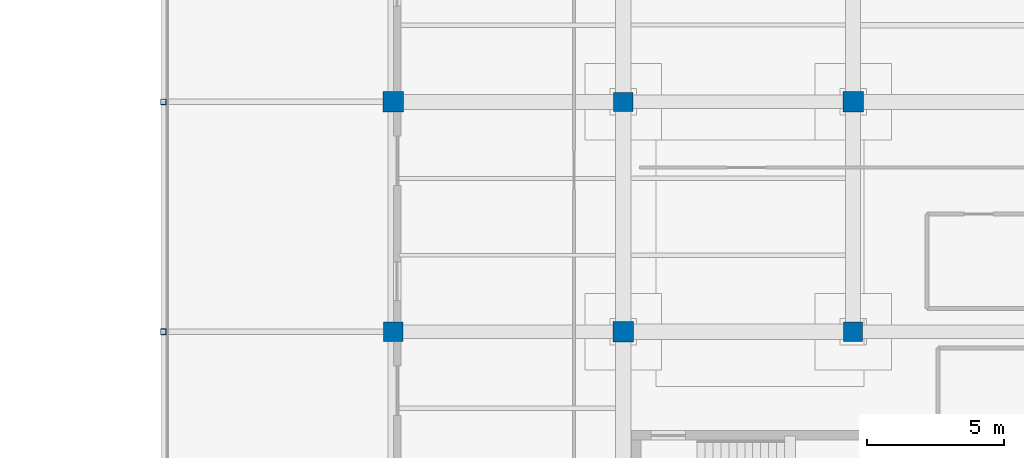
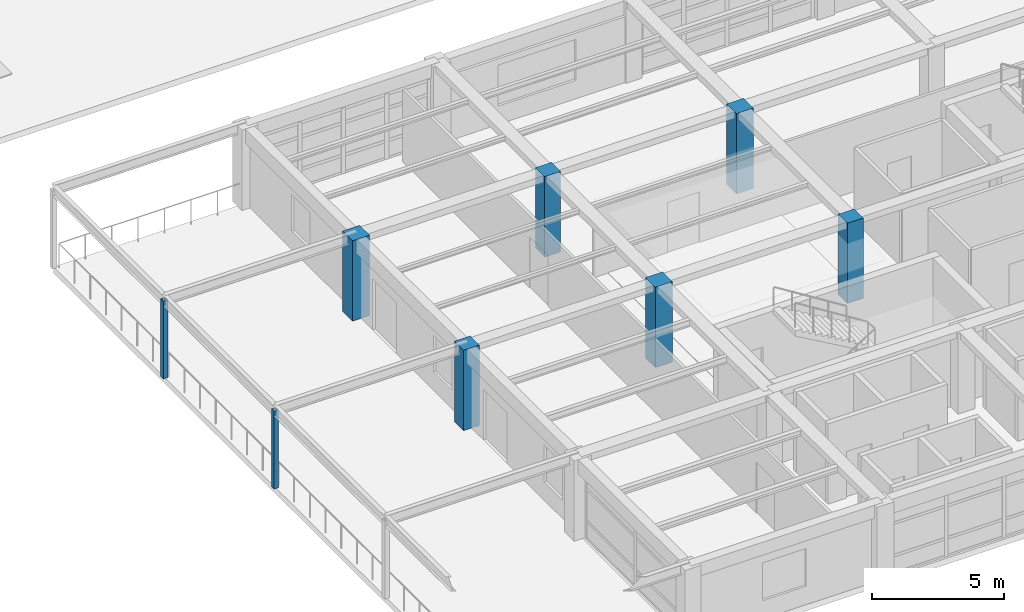
# One storey, part 2 of 35: 8 columns.
"""IFC4 building model written with IfcOpenShell, lengths in metres."""

from ifc_helpers import new_model, si_unit, direction, frame, origin, origin_2d, place, context, subcontext, project, spatial, rectangle, hollow_rectangle, extrude, material, material_profile, profile_set, type_object, element, save


model = new_model("IFC4")

# Units and contexts
model_context = context("Model", 3, precision=1e-05, world=origin(), true_north=direction((0.0, 1.0)))
body_context = subcontext(model_context, "Body", "Model", "MODEL_VIEW")
ifc_project = project(units=[si_unit("LENGTHUNIT", "METRE"), si_unit("AREAUNIT", "SQUARE_METRE"), si_unit("VOLUMEUNIT", "CUBIC_METRE"), si_unit("PLANEANGLEUNIT", "RADIAN"), si_unit("MASSUNIT", "GRAM", prefix="KILO")], contexts=[model_context])

# Site, building, storey
site_placement = place(None, origin())
site = spatial("IfcSite", under=ifc_project, at=site_placement, CompositionType="ELEMENT")
building_placement = place(site_placement, origin())
building = spatial("IfcBuilding", under=site, at=building_placement, Name="Almacenes y Pasaje Nevantli", CompositionType="ELEMENT")
storey_placement = place(building_placement, frame((0.0, 0.0, 26.699951171875)))
storey = spatial("IfcBuildingStorey", under=building, at=storey_placement, Name="L06", CompositionType="ELEMENT", Elevation=26.699951171875)

# Columns
ifc_material_1 = material(Name="Concrete C45/55", Category="concrete")
ifc_material_profile_1 = material_profile(ifc_material_1, rectangle(XDim=0.699951171875, YDim=0.699951171875, at=origin_2d()), Name="RC-COL-700x700")
ifc_profile_set_1 = profile_set([ifc_material_profile_1], Name="Concrete C45/55")
column_type_1 = type_object("IfcColumnType", Name="COL-RC-700", PredefinedType="COLUMN", material=ifc_profile_set_1)
for number, where, z_axis, x_axis, name in (
    (1, (109.199951171875, 84.0, 0.0), (0.0, 0.0, 1.0), (1.0, 0.0, 0.0), "L06 Reinforced Concrete Column CL-06 #2068"),
    (2, (117.60009765625, 92.39990234375, 0.0), (0.0, 0.0, 1.0), (1.0, 0.0, 0.0), "L06 Reinforced Concrete Column CL-06 #2074"),
    (3, (126.0, 84.0, 0.0), (0.0, 0.0, 1.0), (1.0, 0.0, 0.0), "L06 Reinforced Concrete Column CL-06 #2078"),
):
    element("IfcColumn", number, at=place(storey_placement, frame(where, z_axis=z_axis, x_axis=x_axis)), inside=storey, type_object=column_type_1, Name=name, PredefinedType="COLUMN", context=body_context, shape_type="SweptSolid", body=[
        extrude(rectangle(XDim=0.699951171875, YDim=0.699951171875, at=origin_2d()), origin(), (0.0, 0.0, 1.0), 3.719970703125),
    ])
ifc_material_2 = material(Name="Concrete C45/55", Category="concrete")
ifc_material_profile_2 = material_profile(ifc_material_2, rectangle(XDim=0.75, YDim=0.75, at=origin_2d()), Name="RC-COL-750x750")
ifc_profile_set_2 = profile_set([ifc_material_profile_2], Name="Concrete C45/55")
column_type_2 = type_object("IfcColumnType", Name="COL-RC-750", PredefinedType="COLUMN", material=ifc_profile_set_2)
for number, where, z_axis, x_axis, name in (
    (4, (109.199951171875, 92.39990234375, 0.0), (0.0, 0.0, 1.0), (1.0, 0.0, 0.0), "L06 Reinforced Concrete Column CL-05 #2069"),
    (5, (117.60009765625, 84.0, 0.0), (0.0, 0.0, 1.0), (1.0, 0.0, 0.0), "L06 Reinforced Concrete Column CL-05 #2073"),
    (6, (126.0, 92.39990234375, 0.0), (0.0, 0.0, 1.0), (1.0, 0.0, 0.0), "L06 Reinforced Concrete Column CL-05 #2079"),
):
    element("IfcColumn", number, at=place(storey_placement, frame(where, z_axis=z_axis, x_axis=x_axis)), inside=storey, type_object=column_type_2, Name=name, PredefinedType="COLUMN", context=body_context, shape_type="SweptSolid", body=[
        extrude(rectangle(XDim=0.75, YDim=0.75, at=origin_2d()), origin(), (0.0, 0.0, 1.0), 3.719970703125),
    ])
ifc_material_3 = material(Name="Steel ASTM A500 Grade C", Category="steel")
ifc_material_profile_3 = material_profile(ifc_material_3, hollow_rectangle(XDim=0.203125, YDim=0.203125, WallThickness=0.009521484375, at=origin_2d()), Name="OR 203x203x9.5")
ifc_profile_set_3 = profile_set([ifc_material_profile_3], Name="Steel ASTM A500 Grade C")
column_type_3 = type_object("IfcColumnType", Name="COL-STL-OR203", PredefinedType="COLUMN", material=ifc_profile_set_3)
for number, where, z_axis, x_axis, name in (
    (7, (100.800048828125, 84.0, 0.0), (0.0, 0.0, 1.0), (1.0, 0.0, 0.0), "L06 Ziggurat Terrace Pergola Steel Column #2103"),
    (8, (100.800048828125, 92.39990234375, 0.0), (0.0, 0.0, 1.0), (1.0, 0.0, 0.0), "L06 Ziggurat Terrace Pergola Steel Column #2104"),
):
    element("IfcColumn", number, at=place(storey_placement, frame(where, z_axis=z_axis, x_axis=x_axis)), inside=storey, type_object=column_type_3, Name=name, PredefinedType="COLUMN", context=body_context, shape_type="SweptSolid", body=[
        extrude(hollow_rectangle(XDim=0.203125, YDim=0.203125, WallThickness=0.009521484375, at=origin_2d()), origin(), (0.0, 0.0, 1.0), 3.60009765625),
    ])

save(model, "model.ifc")
